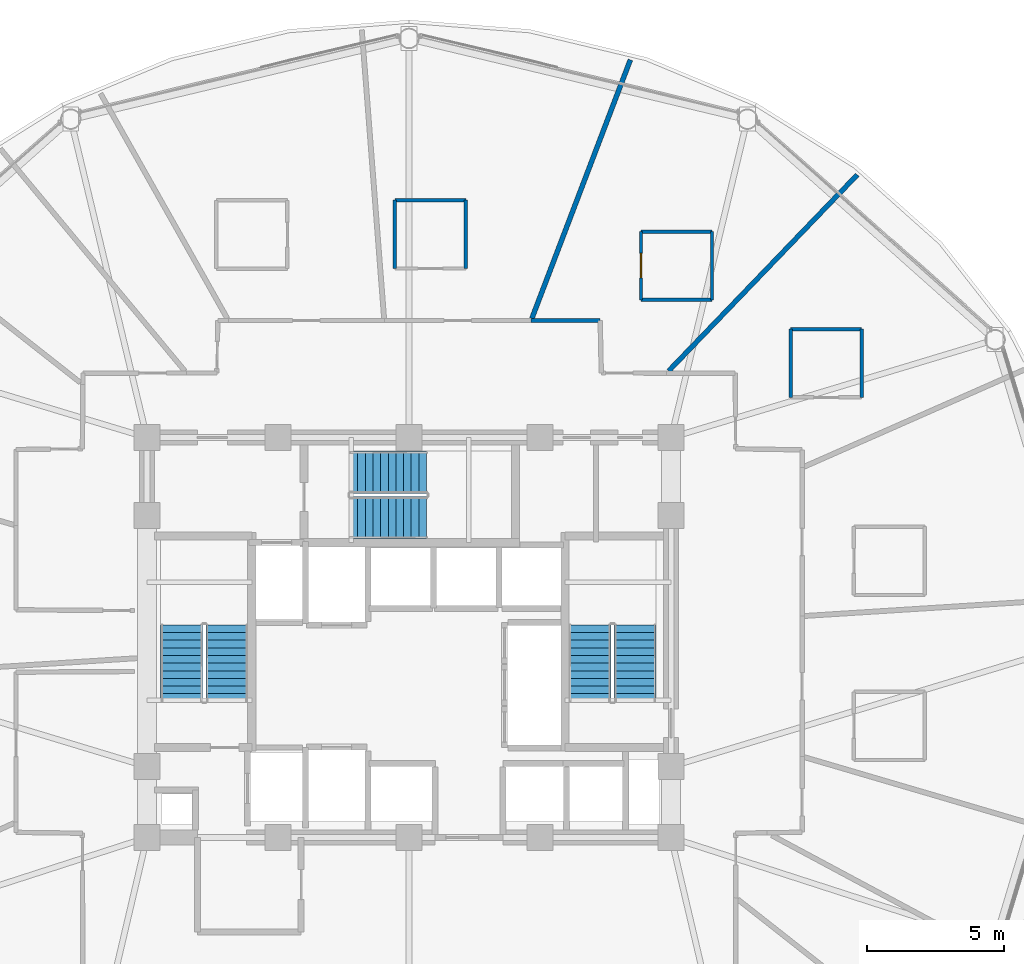
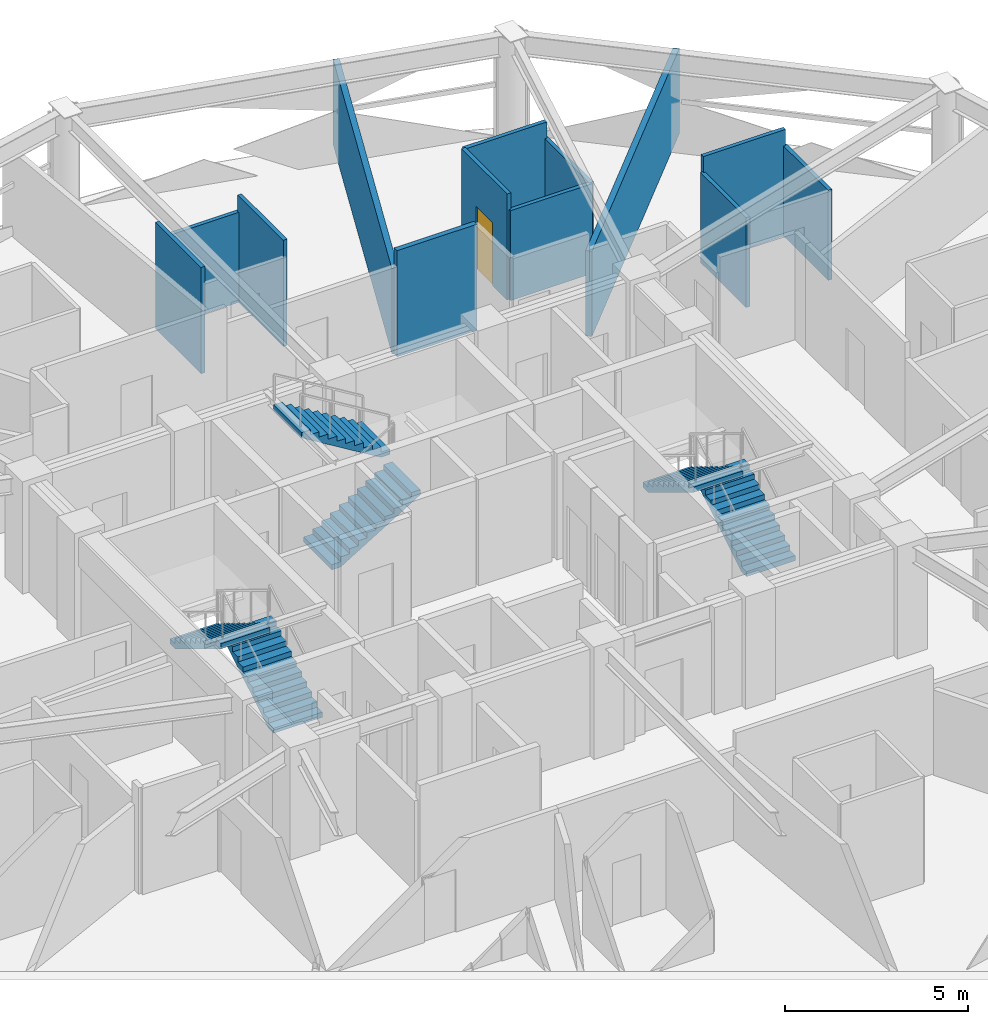
# One storey, part 26 of 30: 13 walls, 6 stair flights, 1 door, 1 opening, 3 elements without a shape of their own.
"""IFC4 building model written with IfcOpenShell, lengths in metres."""

from ifc_helpers import new_model, si_unit, direction, frame, frame_2d, origin, place, context, subcontext, project, spatial, polyline, rectangle, outline, extrude, material, layer, layer_set, type_object, element, fill, aggregate, save


model = new_model("IFC4")

# Units and contexts
model_context = context("Model", 3, precision=1e-05, world=origin(), true_north=direction((0.0, 1.0)))
body_context = subcontext(model_context, "Body", "Model", "MODEL_VIEW")
ifc_project = project(units=[si_unit("LENGTHUNIT", "METRE"), si_unit("AREAUNIT", "SQUARE_METRE"), si_unit("VOLUMEUNIT", "CUBIC_METRE"), si_unit("PLANEANGLEUNIT", "RADIAN"), si_unit("MASSUNIT", "GRAM", prefix="KILO")], contexts=[model_context])

# Site, building, storey
site_placement = place(None, origin())
site = spatial("IfcSite", under=ifc_project, at=site_placement, CompositionType="ELEMENT")
building_placement = place(site_placement, origin())
building = spatial("IfcBuilding", under=site, at=building_placement, Name="Vantalir Tower", CompositionType="ELEMENT")
storey_placement = place(building_placement, frame((0.0, 0.0, 153.449951171875)))
storey = spatial("IfcBuildingStorey", under=building, at=storey_placement, Name="L38", CompositionType="ELEMENT", Elevation=153.449951171875)

# Walls
ifc_material_1 = material(Name="Moisture-resistant en-suite partition", Category="gypsum")
ifc_layer_1 = layer(ifc_material_1, 0.125)
ifc_layer_set_1 = layer_set([ifc_layer_1], Name="Moisture-resistant en-suite partition")
wall_type_1 = type_object("IfcWallType", Name="WL-BATH-125", PredefinedType="PARTITIONING", material=ifc_layer_set_1)
wall_1_placement = place(storey_placement, frame((45.47900390625, 36.419921875, 0.0), z_axis=(0.0, 0.0, 1.0), x_axis=(1.0, 0.0, 0.0)))
element("IfcWall", 1, at=wall_1_placement, inside=storey, type_object=wall_type_1, Name="L38 En-suite 02 North Wall", PredefinedType="PARTITIONING", context=body_context, shape_type="SweptSolid", body=[
    extrude(rectangle(XDim=2.60009765625, YDim=0.125, at=frame_2d((1.300048828125, 0.0))), origin(), (0.0, 0.0, 1.0), 3.550048828125),
])
for number, where, z_axis, x_axis, name in (
    (2, (45.47900390625, 33.919921875, 0.0), (0.0, 0.0, 1.0), (0.0, 1.0, 0.0), "L38 En-suite 02 West Wall"),
    (3, (48.0791015625, 33.919921875, 0.0), (0.0, 0.0, 1.0), (0.0, 1.0, 0.0), "L38 En-suite 02 East Wall"),
):
    element("IfcWall", number, at=place(storey_placement, frame(where, z_axis=z_axis, x_axis=x_axis)), inside=storey, type_object=wall_type_1, Name=name, PredefinedType="PARTITIONING", context=body_context, shape_type="SweptSolid", body=[
        extrude(rectangle(XDim=2.5, YDim=0.125, at=frame_2d((1.25, 0.0))), origin(), (0.0, 0.0, 1.0), 3.006103515625),
    ])
wall_2_placement = place(storey_placement, frame((39.9951171875, 37.4951171875, 0.0), z_axis=(0.0, 0.0, 1.0), x_axis=(1.0, 0.0, 0.0)))
element("IfcWall", 4, at=wall_2_placement, inside=storey, type_object=wall_type_1, Name="L38 En-suite 03 South Wall", PredefinedType="PARTITIONING", context=body_context, shape_type="SweptSolid", body=[
    extrude(rectangle(XDim=2.599853515625, YDim=0.125, at=frame_2d((1.2998046875, 0.0))), origin(), (0.0, 0.0, 1.0), 3.006103515625),
])
wall_3_placement = place(storey_placement, frame((39.9951171875, 39.9951171875, 0.0), z_axis=(0.0, 0.0, 1.0), x_axis=(1.0, 0.0, 0.0)))
element("IfcWall", 5, at=wall_3_placement, inside=storey, type_object=wall_type_1, Name="L38 En-suite 03 North Wall", PredefinedType="PARTITIONING", context=body_context, shape_type="SweptSolid", body=[
    extrude(rectangle(XDim=2.599853515625, YDim=0.125, at=frame_2d((1.2998046875, 0.0))), origin(), (0.0, 0.0, 1.0), 3.550048828125),
])

# Wall, opening, door
wall_4_placement = place(storey_placement, frame((39.9951171875, 37.4951171875, 0.0), z_axis=(0.0, 0.0, 1.0), x_axis=(0.0, 1.0, 0.0)))
wall_4 = element("IfcWall", 6, at=wall_4_placement, inside=storey, type_object=wall_type_1, Name="L38 En-suite 03 West Wall", PredefinedType="PARTITIONING", context=body_context, shape_type="SweptSolid", body=[
    extrude(rectangle(XDim=2.5, YDim=0.125, at=frame_2d((1.25, 0.0))), origin(), (0.0, 0.0, 1.0), 3.550048828125),
])
opening_placement = place(wall_4_placement, frame((0.800048828125, 0.0, 0.0)))
opening = element("IfcOpeningElement", 7, at=opening_placement, cuts=wall_4, Name="Opening D-WC", PredefinedType="OPENING", context=body_context, shape_type="SweptSolid", body=[
    extrude(rectangle(XDim=0.89990234375, YDim=2.10009765625, at=frame_2d((0.449951171875, 1.050048828125))), frame((0.0, 0.072509765625, 0.0), z_axis=(0.0, -1.0, 0.0), x_axis=(1.0, 0.0, 0.0)), (0.0, 0.0, 1.0), 0.14501953125),
])
ifc_material_2 = material(Name="Moisture-resistant hardwood door", Category="wood")
door_type = type_object("IfcDoorType", Name="DR-ENSUITE-900", OperationType="NOTDEFINED", PredefinedType="DOOR", material=ifc_material_2)
door_placement = place(opening_placement, frame((0.89990234375, 0.0, 0.0), z_axis=(0.0, 0.0, 1.0), x_axis=(-1.0, 0.0, 0.0)))
door = element("IfcDoor", 8, at=door_placement, inside=storey, type_object=door_type, Name="L38 En-suite 03 Door", OperationType="SINGLE_SWING_RIGHT", OverallHeight=2.10009765625, OverallWidth=0.89990234375, PredefinedType="DOOR", context=body_context, shape_type="SweptSolid", body=[
    extrude(rectangle(XDim=0.89990234375, YDim=2.10009765625, at=frame_2d((0.449951171875, 1.050048828125))), frame((0.0, 0.02490234375, 0.0), z_axis=(0.0, -1.0, 0.0), x_axis=(1.0, 0.0, 0.0)), (0.0, 0.0, 1.0), 0.050048828125),
])
fill(opening, door)

# Walls
wall_5_placement = place(storey_placement, frame((42.594970703125, 37.4951171875, 0.0), z_axis=(0.0, 0.0, 1.0), x_axis=(0.0, 1.0, 0.0)))
element("IfcWall", 9, at=wall_5_placement, inside=storey, type_object=wall_type_1, Name="L38 En-suite 03 East Wall", PredefinedType="PARTITIONING", context=body_context, shape_type="SweptSolid", body=[
    extrude(rectangle(XDim=2.5, YDim=0.125, at=frame_2d((1.25, 0.0))), origin(), (0.0, 0.0, 1.0), 3.006103515625),
])
wall_6_placement = place(storey_placement, frame((30.98291015625, 41.14404296875, 0.0), z_axis=(0.0, 0.0, 1.0), x_axis=(1.0, 0.0, 0.0)))
element("IfcWall", 10, at=wall_6_placement, inside=storey, type_object=wall_type_1, Name="L38 En-suite 04 North Wall", PredefinedType="PARTITIONING", context=body_context, shape_type="SweptSolid", body=[
    extrude(rectangle(XDim=2.60009765625, YDim=0.125, at=frame_2d((1.300048828125, 0.0))), origin(), (0.0, 0.0, 1.0), 3.006103515625),
])
for number, where, z_axis, x_axis, name in (
    (11, (30.98291015625, 38.64404296875, 0.0), (0.0, 0.0, 1.0), (0.0, 1.0, 0.0), "L38 En-suite 04 West Wall"),
    (12, (33.5830078125, 38.64404296875, 0.0), (0.0, 0.0, 1.0), (0.0, 1.0, 0.0), "L38 En-suite 04 East Wall"),
):
    element("IfcWall", number, at=place(storey_placement, frame(where, z_axis=z_axis, x_axis=x_axis)), inside=storey, type_object=wall_type_1, Name=name, PredefinedType="PARTITIONING", context=body_context, shape_type="SweptSolid", body=[
        extrude(rectangle(XDim=2.5, YDim=0.125, at=frame_2d((1.25, 0.0))), origin(), (0.0, 0.0, 1.0), 3.550048828125),
    ])
ifc_material_3 = material(Name="Fire-rated hotel corridor acoustic partition", Category="gypsum")
ifc_layer_2 = layer(ifc_material_3, 0.159912109375)
ifc_layer_set_2 = layer_set([ifc_layer_2], Name="Fire-rated hotel corridor acoustic partition")
wall_type_2 = type_object("IfcWallType", Name="WL-CORR-160", PredefinedType="PARTITIONING", material=ifc_layer_set_2)
wall_7_placement = place(storey_placement, frame((35.970947265625, 36.739990234375, 0.0), z_axis=(0.0, 0.0, 1.0), x_axis=(1.0, 0.0, 0.0)))
element("IfcWall", 13, at=wall_7_placement, inside=storey, type_object=wall_type_2, Name="L38 Corridor Partition 13", PredefinedType="PARTITIONING", context=body_context, shape_type="SweptSolid", body=[
    extrude(rectangle(XDim=2.529052734375, YDim=0.159912109375, at=frame_2d((1.2646484375, 0.0))), origin(), (0.0, 0.0, 1.0), 3.550048828125),
])
ifc_material_4 = material(Name="Twin-stud acoustic fire-rated gypsum partition", Category="gypsum")
ifc_layer_3 = layer(ifc_material_4, 0.179931640625)
ifc_layer_set_3 = layer_set([ifc_layer_3], Name="Twin-stud acoustic fire-rated gypsum partition")
wall_type_3 = type_object("IfcWallType", Name="WL-GUEST-180", PredefinedType="PARTITIONING", material=ifc_layer_set_3)
wall_8_placement = place(storey_placement, frame((41.008056640625, 34.889892578125, 0.0), z_axis=(0.0, 0.0, 1.0), x_axis=(0.693069554284, 0.720870718593, 0.0)))
element("IfcWall", 14, at=wall_8_placement, inside=storey, type_object=wall_type_3, Name="L38 Radial Suite Partition 03", PredefinedType="PARTITIONING", context=body_context, shape_type="SweptSolid", body=[
    extrude(rectangle(XDim=9.96728515625, YDim=0.179931640625, at=frame_2d((4.983642578125, 0.0))), origin(), (0.0, 0.0, 1.0), 2.85205078125),
])
wall_9_placement = place(storey_placement, frame((35.9990234375, 36.81494140625, 0.0), z_axis=(0.0, 0.0, 1.0), x_axis=(0.355905167446, 0.934522076671, 0.0)))
element("IfcWall", 15, at=wall_9_placement, inside=storey, type_object=wall_type_3, Name="L38 Radial Suite Partition 04", PredefinedType="PARTITIONING", context=body_context, shape_type="SweptSolid", body=[
    extrude(rectangle(XDim=10.134521484375, YDim=0.179931640625, at=frame_2d((5.0673828125, 0.0))), origin(), (0.0, 0.0, 1.0), 2.85205078125),
])

# Stair, stair flights
ifc_material_5 = material(Name="Concrete C40/50", Category="concrete")
stair_type = type_object("IfcStairType", Name="STR-CORE-1450", PredefinedType="HALF_TURN_STAIR", material=ifc_material_5)
stair_1_placement = place(storey_placement, origin())
stair_1 = element("IfcStair", 16, at=stair_1_placement, inside=storey, type_object=stair_type, Name="L38 Core Exit Stair 1", PredefinedType="HALF_TURN_STAIR")
stair_flight_type = type_object("IfcStairFlightType", Name="FLT-CORE-1450", PredefinedType="STRAIGHT", material=ifc_material_5)
stair_flight_1_placement = place(storey_placement, frame((24.830078125, 22.7900390625, 0.0), z_axis=(0.0, 0.0, 1.0), x_axis=(0.0, 1.0, 0.0)))
stair_flight_1 = element("IfcStairFlight", 17, at=stair_flight_1_placement, type_object=stair_flight_type, Name="ST1 flight 1", NumberOfRisers=11, NumberOfTreads=10, PredefinedType="STRAIGHT", RiserHeight=0.170454545, TreadLength=0.28, context=body_context, shape_type="SweptSolid", body=[
    extrude(outline(polyline([(0.0, 0.0), (0.0, 0.17041015625), (0.280029296875, 0.17041015625), (0.280029296875, 0.3408203125), (0.56005859375, 0.3408203125), (0.56005859375, 0.511474609375), (0.840087890625, 0.511474609375), (0.840087890625, 0.681884765625), (1.1201171875, 0.681884765625), (1.1201171875, 0.852294921875), (1.39990234375, 0.852294921875), (1.39990234375, 1.022705078125), (1.679931640625, 1.022705078125), (1.679931640625, 1.193115234375), (1.9599609375, 1.193115234375), (1.9599609375, 1.363525390625), (2.239990234375, 1.363525390625), (2.239990234375, 1.5341796875), (2.52001953125, 1.5341796875), (2.52001953125, 1.70458984375), (2.800048828125, 1.70458984375), (2.800048828125, 1.875), (2.800048828125, 1.529052734375), (0.288330078125, 0.0), (0.0, 0.0)])), frame((0.0, 0.77001953125, 0.0), z_axis=(0.0, -1.0, 0.0), x_axis=(1.0, 0.0, 0.0)), (0.0, 0.0, 1.0), 1.5400390625),
])
stair_flight_2_placement = place(storey_placement, frame((23.169921875, 25.590087890625, 1.875), z_axis=(0.0, 0.0, 1.0), x_axis=(0.0, -1.0, 0.0)))
stair_flight_2 = element("IfcStairFlight", 18, at=stair_flight_2_placement, type_object=stair_flight_type, Name="ST1 flight 2", NumberOfRisers=11, NumberOfTreads=10, PredefinedType="STRAIGHT", RiserHeight=0.170454545, TreadLength=0.28, context=body_context, shape_type="SweptSolid", body=[
    extrude(outline(polyline([(0.0, 0.0), (0.0, 0.17041015625), (0.280029296875, 0.17041015625), (0.280029296875, 0.3408203125), (0.56005859375, 0.3408203125), (0.56005859375, 0.511474609375), (0.840087890625, 0.511474609375), (0.840087890625, 0.681884765625), (1.1201171875, 0.681884765625), (1.1201171875, 0.852294921875), (1.39990234375, 0.852294921875), (1.39990234375, 1.022705078125), (1.679931640625, 1.022705078125), (1.679931640625, 1.193115234375), (1.9599609375, 1.193115234375), (1.9599609375, 1.363525390625), (2.239990234375, 1.363525390625), (2.239990234375, 1.5341796875), (2.52001953125, 1.5341796875), (2.52001953125, 1.70458984375), (2.800048828125, 1.70458984375), (2.800048828125, 1.875), (2.800048828125, 1.529052734375), (0.288330078125, 0.0), (0.0, 0.0)])), frame((0.0, 0.77001953125, 0.0), z_axis=(0.0, -1.0, 0.0), x_axis=(1.0, 0.0, 0.0)), (0.0, 0.0, 1.0), 1.5400390625),
])
aggregate(stair_1, [stair_flight_1, stair_flight_2])

stair_2_placement = place(storey_placement, origin())
stair_2 = element("IfcStair", 19, at=stair_2_placement, inside=storey, type_object=stair_type, Name="L38 Core Exit Stair 2", PredefinedType="HALF_TURN_STAIR")
stair_flight_3_placement = place(storey_placement, frame((39.780029296875, 22.7900390625, 0.0), z_axis=(0.0, 0.0, 1.0), x_axis=(0.0, 1.0, 0.0)))
stair_flight_3 = element("IfcStairFlight", 20, at=stair_flight_3_placement, type_object=stair_flight_type, Name="ST2 flight 1", NumberOfRisers=11, NumberOfTreads=10, PredefinedType="STRAIGHT", RiserHeight=0.170454545, TreadLength=0.28, context=body_context, shape_type="SweptSolid", body=[
    extrude(outline(polyline([(0.0, 0.0), (0.0, 0.17041015625), (0.280029296875, 0.17041015625), (0.280029296875, 0.3408203125), (0.56005859375, 0.3408203125), (0.56005859375, 0.511474609375), (0.840087890625, 0.511474609375), (0.840087890625, 0.681884765625), (1.1201171875, 0.681884765625), (1.1201171875, 0.852294921875), (1.39990234375, 0.852294921875), (1.39990234375, 1.022705078125), (1.679931640625, 1.022705078125), (1.679931640625, 1.193115234375), (1.9599609375, 1.193115234375), (1.9599609375, 1.363525390625), (2.239990234375, 1.363525390625), (2.239990234375, 1.5341796875), (2.52001953125, 1.5341796875), (2.52001953125, 1.70458984375), (2.800048828125, 1.70458984375), (2.800048828125, 1.875), (2.800048828125, 1.529052734375), (0.288330078125, 0.0), (0.0, 0.0)])), frame((0.0, 0.77001953125, 0.0), z_axis=(0.0, -1.0, 0.0), x_axis=(1.0, 0.0, 0.0)), (0.0, 0.0, 1.0), 1.5400390625),
])
stair_flight_4_placement = place(storey_placement, frame((38.1201171875, 25.590087890625, 1.875), z_axis=(0.0, 0.0, 1.0), x_axis=(0.0, -1.0, 0.0)))
stair_flight_4 = element("IfcStairFlight", 21, at=stair_flight_4_placement, type_object=stair_flight_type, Name="ST2 flight 2", NumberOfRisers=11, NumberOfTreads=10, PredefinedType="STRAIGHT", RiserHeight=0.170454545, TreadLength=0.28, context=body_context, shape_type="SweptSolid", body=[
    extrude(outline(polyline([(0.0, 0.0), (0.0, 0.17041015625), (0.280029296875, 0.17041015625), (0.280029296875, 0.3408203125), (0.56005859375, 0.3408203125), (0.56005859375, 0.511474609375), (0.840087890625, 0.511474609375), (0.840087890625, 0.681884765625), (1.1201171875, 0.681884765625), (1.1201171875, 0.852294921875), (1.39990234375, 0.852294921875), (1.39990234375, 1.022705078125), (1.679931640625, 1.022705078125), (1.679931640625, 1.193115234375), (1.9599609375, 1.193115234375), (1.9599609375, 1.363525390625), (2.239990234375, 1.363525390625), (2.239990234375, 1.5341796875), (2.52001953125, 1.5341796875), (2.52001953125, 1.70458984375), (2.800048828125, 1.70458984375), (2.800048828125, 1.875), (2.800048828125, 1.529052734375), (0.288330078125, 0.0), (0.0, 0.0)])), frame((0.0, 0.77001953125, 0.0), z_axis=(0.0, -1.0, 0.0), x_axis=(1.0, 0.0, 0.0)), (0.0, 0.0, 1.0), 1.5400390625),
])
aggregate(stair_2, [stair_flight_3, stair_flight_4])

stair_3_placement = place(storey_placement, origin())
stair_3 = element("IfcStair", 22, at=stair_3_placement, inside=storey, type_object=stair_type, Name="L38 Core Exit Stair 3", PredefinedType="HALF_TURN_STAIR")
stair_flight_5_placement = place(storey_placement, frame((29.340087890625, 29.52001953125, 0.0), z_axis=(0.0, 0.0, 1.0), x_axis=(1.0, 0.0, 0.0)))
stair_flight_5 = element("IfcStairFlight", 23, at=stair_flight_5_placement, type_object=stair_flight_type, Name="ST3 flight 1", NumberOfRisers=11, NumberOfTreads=10, PredefinedType="STRAIGHT", RiserHeight=0.170454545, TreadLength=0.28, context=body_context, shape_type="SweptSolid", body=[
    extrude(outline(polyline([(0.0, 0.0), (0.0, 0.17041015625), (0.280029296875, 0.17041015625), (0.280029296875, 0.3408203125), (0.56005859375, 0.3408203125), (0.56005859375, 0.511474609375), (0.840087890625, 0.511474609375), (0.840087890625, 0.681884765625), (1.1201171875, 0.681884765625), (1.1201171875, 0.852294921875), (1.39990234375, 0.852294921875), (1.39990234375, 1.022705078125), (1.679931640625, 1.022705078125), (1.679931640625, 1.193115234375), (1.9599609375, 1.193115234375), (1.9599609375, 1.363525390625), (2.239990234375, 1.363525390625), (2.239990234375, 1.5341796875), (2.52001953125, 1.5341796875), (2.52001953125, 1.70458984375), (2.800048828125, 1.70458984375), (2.800048828125, 1.875), (2.800048828125, 1.529052734375), (0.288330078125, 0.0), (0.0, 0.0)])), frame((0.0, 0.77001953125, 0.0), z_axis=(0.0, -1.0, 0.0), x_axis=(1.0, 0.0, 0.0)), (0.0, 0.0, 1.0), 1.5400390625),
])
stair_flight_6_placement = place(storey_placement, frame((32.139892578125, 31.179931640625, 1.875), z_axis=(0.0, 0.0, 1.0), x_axis=(-1.0, 0.0, 0.0)))
stair_flight_6 = element("IfcStairFlight", 24, at=stair_flight_6_placement, type_object=stair_flight_type, Name="ST3 flight 2", NumberOfRisers=11, NumberOfTreads=10, PredefinedType="STRAIGHT", RiserHeight=0.170454545, TreadLength=0.28, context=body_context, shape_type="SweptSolid", body=[
    extrude(outline(polyline([(0.0, 0.0), (0.0, 0.17041015625), (0.280029296875, 0.17041015625), (0.280029296875, 0.3408203125), (0.56005859375, 0.3408203125), (0.56005859375, 0.511474609375), (0.840087890625, 0.511474609375), (0.840087890625, 0.681884765625), (1.1201171875, 0.681884765625), (1.1201171875, 0.852294921875), (1.39990234375, 0.852294921875), (1.39990234375, 1.022705078125), (1.679931640625, 1.022705078125), (1.679931640625, 1.193115234375), (1.9599609375, 1.193115234375), (1.9599609375, 1.363525390625), (2.239990234375, 1.363525390625), (2.239990234375, 1.5341796875), (2.52001953125, 1.5341796875), (2.52001953125, 1.70458984375), (2.800048828125, 1.70458984375), (2.800048828125, 1.875), (2.800048828125, 1.529052734375), (0.288330078125, 0.0), (0.0, 0.0)])), frame((0.0, 0.77001953125, 0.0), z_axis=(0.0, -1.0, 0.0), x_axis=(1.0, 0.0, 0.0)), (0.0, 0.0, 1.0), 1.5400390625),
])
aggregate(stair_3, [stair_flight_5, stair_flight_6])

save(model, "model.ifc")
